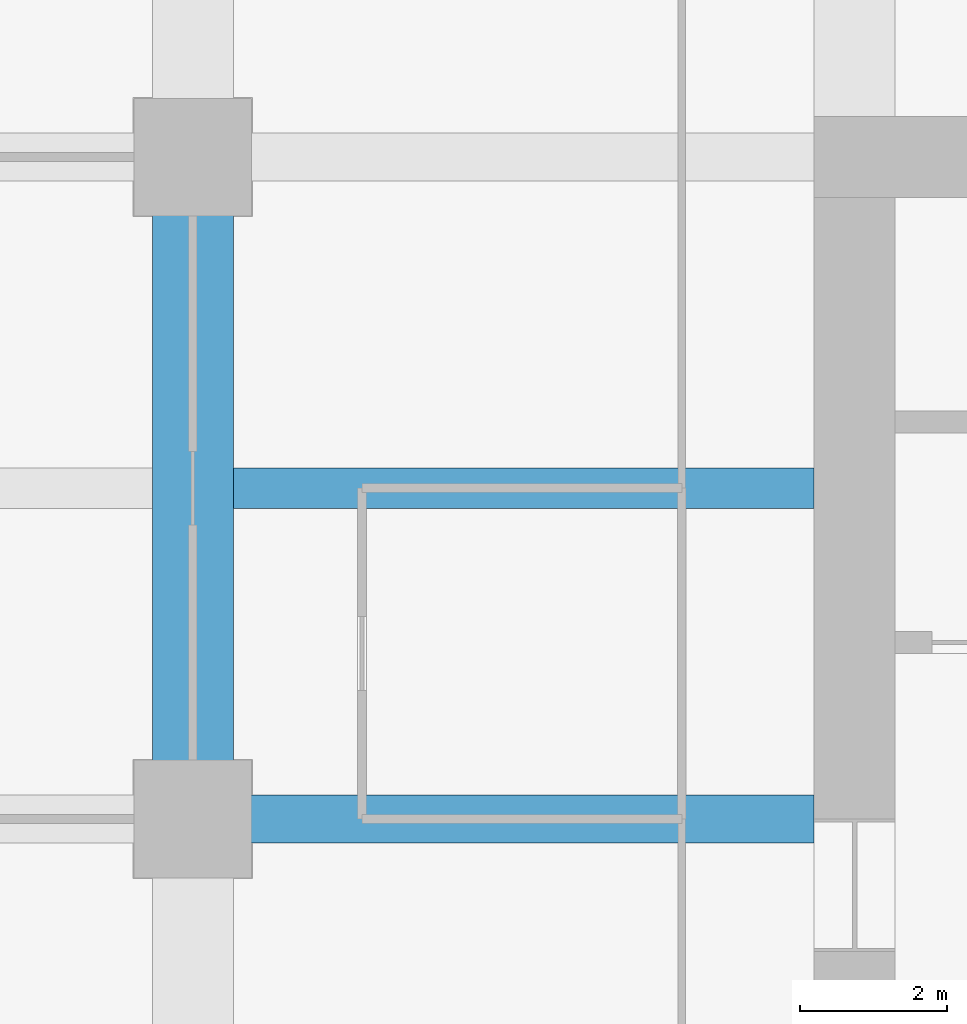
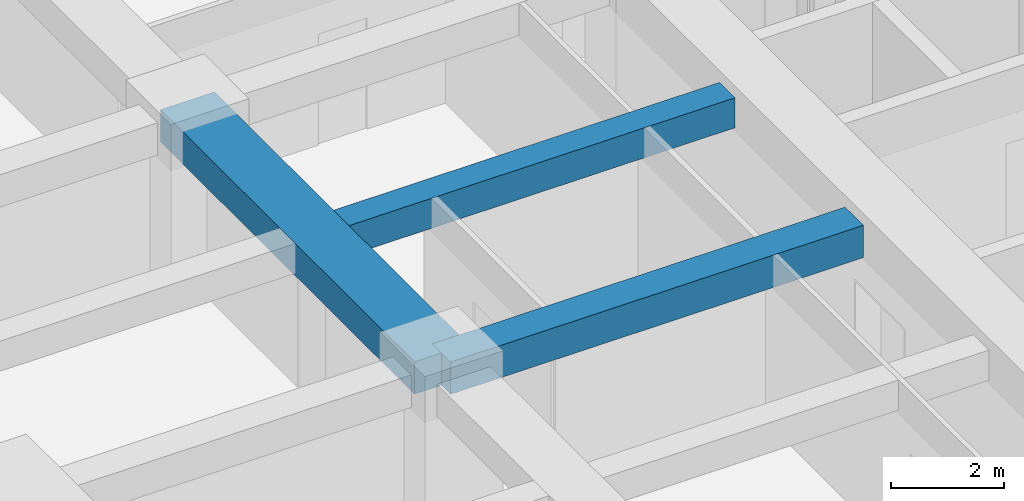
# One storey, part 12 of 32: 3 beams.
"""IFC4 building model written with IfcOpenShell, lengths in metres."""

from ifc_helpers import new_model, si_unit, direction, frame, origin, origin_2d, place, context, subcontext, project, spatial, rectangle, extrude, material, material_profile, profile_set, type_object, element, save


model = new_model("IFC4")

# Units and contexts
model_context = context("Model", 3, precision=1e-05, world=origin(), true_north=direction((0.0, 1.0)))
body_context = subcontext(model_context, "Body", "Model", "MODEL_VIEW")
ifc_project = project(units=[si_unit("LENGTHUNIT", "METRE"), si_unit("AREAUNIT", "SQUARE_METRE"), si_unit("VOLUMEUNIT", "CUBIC_METRE"), si_unit("PLANEANGLEUNIT", "RADIAN"), si_unit("MASSUNIT", "GRAM", prefix="KILO")], contexts=[model_context])

# Site, building, storey
site_placement = place(None, origin())
site = spatial("IfcSite", under=ifc_project, at=site_placement, CompositionType="ELEMENT")
building_placement = place(site_placement, origin())
building = spatial("IfcBuilding", under=site, at=building_placement, Name="Zorevar Civic Tower", CompositionType="ELEMENT")
storey_placement = place(building_placement, frame((0.0, 0.0, 186.199951171875)))
storey = spatial("IfcBuildingStorey", under=building, at=storey_placement, Name="L45", CompositionType="ELEMENT", Elevation=186.199951171875)

# Beams
ifc_material_1 = material(Name="Concrete C50/60", Category="concrete")
ifc_material_profile_1 = material_profile(ifc_material_1, rectangle(XDim=1.10009765625, YDim=0.699951171875, at=origin_2d()), Name="RC 1100x700")
ifc_profile_set_1 = profile_set([ifc_material_profile_1], Name="Concrete C50/60")
beam_type_1 = type_object("IfcBeamType", Name="Beam RC 1100x700", PredefinedType="BEAM", material=ifc_profile_set_1)
beam_1_placement = place(storey_placement, frame((9.0, 27.0, 3.400146484375), z_axis=(0.0, 1.0, 0.0), x_axis=(-1.0, 0.0, 0.0)))
element("IfcBeam", 1, at=beam_1_placement, inside=storey, type_object=beam_type_1, Name="Girder L46", PredefinedType="BEAM", context=body_context, shape_type="SweptSolid", body=[
    extrude(rectangle(XDim=1.10009765625, YDim=0.699951171875, at=origin_2d()), origin(), (0.0, 0.0, 1.0), 9.0),
])
ifc_material_2 = material(Name="Concrete C50/60", Category="concrete")
ifc_material_profile_2 = material_profile(ifc_material_2, rectangle(XDim=0.550048828125, YDim=0.64990234375, at=origin_2d()), Name="RC 550x650")
ifc_profile_set_2 = profile_set([ifc_material_profile_2], Name="Concrete C50/60")
beam_type_2 = type_object("IfcBeamType", Name="Beam RC 550x650", PredefinedType="BEAM", material=ifc_profile_set_2)
beam_2_placement = place(storey_placement, frame((9.550048828125, 31.5, 3.425048828125), z_axis=(1.0, 0.0, 0.0), x_axis=(0.0, 1.0, 0.0)))
element("IfcBeam", 2, at=beam_2_placement, inside=storey, type_object=beam_type_2, Name="Secondary beam L46", PredefinedType="BEAM", context=body_context, shape_type="SweptSolid", body=[
    extrude(rectangle(XDim=0.550048828125, YDim=0.64990234375, at=origin_2d()), origin(), (0.0, 0.0, 1.0), 7.89990234375),
])
ifc_material_3 = material(Name="Concrete C50/60", Category="concrete")
ifc_material_profile_3 = material_profile(ifc_material_3, rectangle(XDim=0.64990234375, YDim=0.699951171875, at=origin_2d()), Name="RC 650x700")
ifc_profile_set_3 = profile_set([ifc_material_profile_3], Name="Concrete C50/60")
beam_type_3 = type_object("IfcBeamType", Name="Beam RC 650x700", PredefinedType="BEAM", material=ifc_profile_set_3)
beam_3_placement = place(storey_placement, frame((9.0, 27.0, 3.400146484375), z_axis=(1.0, 0.0, 0.0), x_axis=(0.0, 1.0, 0.0)))
element("IfcBeam", 3, at=beam_3_placement, inside=storey, type_object=beam_type_3, Name="Girder L46", PredefinedType="BEAM", context=body_context, shape_type="SweptSolid", body=[
    extrude(rectangle(XDim=0.64990234375, YDim=0.699951171875, at=origin_2d()), origin(), (0.0, 0.0, 1.0), 8.449951171875),
])

save(model, "model.ifc")
